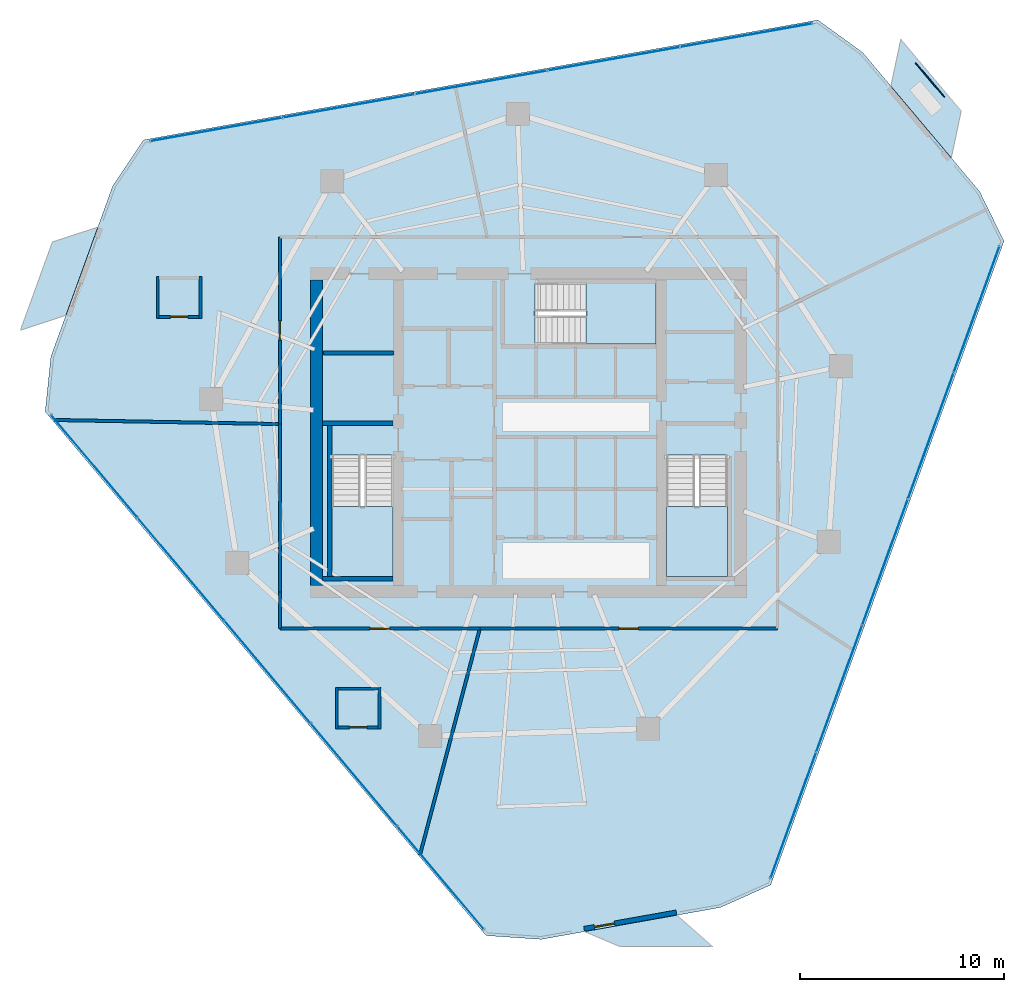
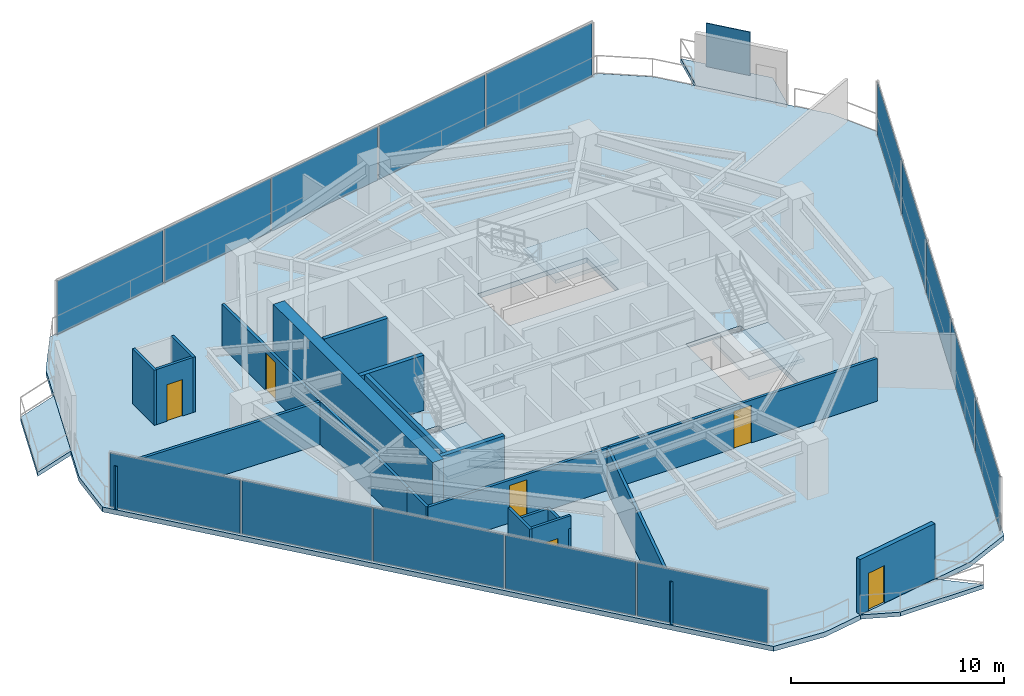
# One storey, part 23 of 27: 20 walls, 16 plates, 7 slabs, 6 doors, 6 openings, 6 elements without a shape of their own.
"""IFC4 building model written with IfcOpenShell, lengths in metres."""

from ifc_helpers import new_model, si_unit, direction, frame, frame_2d, origin, origin_2d, place, context, subcontext, project, spatial, polyline, rectangle, outline, extrude, material, layer, layer_set, type_object, element, fill, aggregate, save


model = new_model("IFC4")

# Units and contexts
model_context = context("Model", 3, precision=1e-05, world=origin(), true_north=direction((0.0, 1.0)))
body_context = subcontext(model_context, "Body", "Model", "MODEL_VIEW")
ifc_project = project(units=[si_unit("LENGTHUNIT", "METRE"), si_unit("AREAUNIT", "SQUARE_METRE"), si_unit("VOLUMEUNIT", "CUBIC_METRE"), si_unit("PLANEANGLEUNIT", "RADIAN"), si_unit("MASSUNIT", "GRAM", prefix="KILO")], contexts=[model_context])

# Site, building, storey
site_placement = place(None, origin())
site = spatial("IfcSite", under=ifc_project, at=site_placement, CompositionType="ELEMENT")
building_placement = place(site_placement, origin())
building = spatial("IfcBuilding", under=site, at=building_placement, Name="Qarnah Convention Tower", CompositionType="ELEMENT")
storey_placement = place(building_placement, frame((0.0, 0.0, 103.949951171875)))
storey = spatial("IfcBuildingStorey", under=building, at=storey_placement, Name="L27", CompositionType="ELEMENT", Elevation=103.949951171875)

# Curtain wall, plates
ifc_material_1 = material(Name="Tempered Low-E dark glass", Category="glass")
ifc_layer_1 = layer(ifc_material_1, 0.169921875)
ifc_layer_set_1 = layer_set([ifc_layer_1], Name="Tempered Low-E dark glass")
curtain_wall_type = type_object("IfcCurtainWallType", Name="CWS-02", PredefinedType="NOTDEFINED", material=ifc_layer_set_1)
curtain_wall_1_placement = place(storey_placement, origin())
curtain_wall_1 = element("IfcCurtainWall", 1, at=curtain_wall_1_placement, inside=storey, type_object=curtain_wall_type, Name="L27 unitised curtain wall CW-L27-F1", PredefinedType="NOTDEFINED")
ifc_layer_2 = layer(ifc_material_1, 0.030029296875)
ifc_layer_set_2 = layer_set([ifc_layer_2], Name="Tempered Low-E dark glass")
plate_type_1 = type_object("IfcPlateType", Name="PNL-T2", PredefinedType="CURTAIN_PANEL", material=ifc_layer_set_2)
plate_1_placement = place(storey_placement, frame((32.887451171875, 4.572509765625, 0.0400390625), z_axis=(0.0, 0.0, 1.0), x_axis=(-0.643878016017, 0.76512815952, 0.0)))
plate_1 = element("IfcPlate", 2, at=plate_1_placement, type_object=plate_type_1, Name="CW-L27-F1 curtain panel 1.1", PredefinedType="CURTAIN_PANEL", context=body_context, shape_type="SweptSolid", body=[
    extrude(rectangle(XDim=6.516357421875, YDim=0.030029296875, at=origin_2d()), origin(), (0.0, 0.0, 1.0), 3.090087890625),
])
plate_2_placement = place(storey_placement, frame((28.64013671875, 9.619384765625, 0.0400390625), z_axis=(0.0, 0.0, 1.0), x_axis=(-0.643878016017, 0.76512815952, 0.0)))
plate_2 = element("IfcPlate", 3, at=plate_2_placement, type_object=plate_type_1, Name="CW-L27-F1 curtain panel 2.1", PredefinedType="CURTAIN_PANEL", context=body_context, shape_type="SweptSolid", body=[
    extrude(rectangle(XDim=6.516357421875, YDim=0.030029296875, at=origin_2d()), origin(), (0.0, 0.0, 1.0), 3.090087890625),
])
plate_3_placement = place(storey_placement, frame((24.39306640625, 14.66650390625, 0.0400390625), z_axis=(0.0, 0.0, 1.0), x_axis=(-0.643878016017, 0.76512815952, 0.0)))
plate_3 = element("IfcPlate", 4, at=plate_3_placement, type_object=plate_type_1, Name="CW-L27-F1 curtain panel 3.1", PredefinedType="CURTAIN_PANEL", context=body_context, shape_type="SweptSolid", body=[
    extrude(rectangle(XDim=6.516357421875, YDim=0.030029296875, at=origin_2d()), origin(), (0.0, 0.0, 1.0), 3.090087890625),
])
plate_4_placement = place(storey_placement, frame((20.145751953125, 19.71337890625, 0.0400390625), z_axis=(0.0, 0.0, 1.0), x_axis=(-0.643878016017, 0.76512815952, 0.0)))
plate_4 = element("IfcPlate", 5, at=plate_4_placement, type_object=plate_type_1, Name="CW-L27-F1 curtain panel 4.1", PredefinedType="CURTAIN_PANEL", context=body_context, shape_type="SweptSolid", body=[
    extrude(rectangle(XDim=6.516357421875, YDim=0.030029296875, at=origin_2d()), origin(), (0.0, 0.0, 1.0), 3.090087890625),
])
plate_5_placement = place(storey_placement, frame((15.898681640625, 24.760498046875, 0.0400390625), z_axis=(0.0, 0.0, 1.0), x_axis=(-0.643878016017, 0.76512815952, 0.0)))
plate_5 = element("IfcPlate", 6, at=plate_5_placement, type_object=plate_type_1, Name="CW-L27-F1 curtain panel 5.1", PredefinedType="CURTAIN_PANEL", context=body_context, shape_type="SweptSolid", body=[
    extrude(rectangle(XDim=6.516357421875, YDim=0.030029296875, at=origin_2d()), origin(), (0.0, 0.0, 1.0), 3.090087890625),
])
aggregate(curtain_wall_1, [plate_1, plate_2, plate_3, plate_4, plate_5])

curtain_wall_2_placement = place(storey_placement, origin())
curtain_wall_2 = element("IfcCurtainWall", 7, at=curtain_wall_2_placement, inside=storey, type_object=curtain_wall_type, Name="L27 unitised curtain wall CW-L27-F2", PredefinedType="NOTDEFINED")
plate_6_placement = place(storey_placement, frame((59.17041015625, 32.453125, 0.0400390625), z_axis=(0.0, 0.0, 1.0), x_axis=(-0.340708211397, -0.940169088349, 0.0)))
plate_6 = element("IfcPlate", 8, at=plate_6_placement, type_object=plate_type_1, Name="CW-L27-F2 curtain panel 1.1", PredefinedType="CURTAIN_PANEL", context=body_context, shape_type="SweptSolid", body=[
    extrude(rectangle(XDim=6.516357421875, YDim=0.030029296875, at=origin_2d()), origin(), (0.0, 0.0, 1.0), 3.090087890625),
])
plate_7_placement = place(storey_placement, frame((56.9228515625, 26.251708984375, 0.0400390625), z_axis=(0.0, 0.0, 1.0), x_axis=(-0.340708211397, -0.940169088349, 0.0)))
plate_7 = element("IfcPlate", 9, at=plate_7_placement, type_object=plate_type_1, Name="CW-L27-F2 curtain panel 2.1", PredefinedType="CURTAIN_PANEL", context=body_context, shape_type="SweptSolid", body=[
    extrude(rectangle(XDim=6.516357421875, YDim=0.030029296875, at=origin_2d()), origin(), (0.0, 0.0, 1.0), 3.090087890625),
])
plate_8_placement = place(storey_placement, frame((54.675537109375, 20.050048828125, 0.0400390625), z_axis=(0.0, 0.0, 1.0), x_axis=(-0.340708211397, -0.940169088349, 0.0)))
plate_8 = element("IfcPlate", 10, at=plate_8_placement, type_object=plate_type_1, Name="CW-L27-F2 curtain panel 3.1", PredefinedType="CURTAIN_PANEL", context=body_context, shape_type="SweptSolid", body=[
    extrude(rectangle(XDim=6.516357421875, YDim=0.030029296875, at=origin_2d()), origin(), (0.0, 0.0, 1.0), 3.090087890625),
])
plate_9_placement = place(storey_placement, frame((52.427978515625, 13.848388671875, 0.0400390625), z_axis=(0.0, 0.0, 1.0), x_axis=(-0.340708211397, -0.940169088349, 0.0)))
plate_9 = element("IfcPlate", 11, at=plate_9_placement, type_object=plate_type_1, Name="CW-L27-F2 curtain panel 4.1", PredefinedType="CURTAIN_PANEL", context=body_context, shape_type="SweptSolid", body=[
    extrude(rectangle(XDim=6.516357421875, YDim=0.030029296875, at=origin_2d()), origin(), (0.0, 0.0, 1.0), 3.090087890625),
])
plate_10_placement = place(storey_placement, frame((50.1806640625, 7.646728515625, 0.0400390625), z_axis=(0.0, 0.0, 1.0), x_axis=(-0.340708211397, -0.940169088349, 0.0)))
plate_10 = element("IfcPlate", 12, at=plate_10_placement, type_object=plate_type_1, Name="CW-L27-F2 curtain panel 5.1", PredefinedType="CURTAIN_PANEL", context=body_context, shape_type="SweptSolid", body=[
    extrude(rectangle(XDim=6.516357421875, YDim=0.030029296875, at=origin_2d()), origin(), (0.0, 0.0, 1.0), 3.090087890625),
])
aggregate(curtain_wall_2, [plate_6, plate_7, plate_8, plate_9, plate_10])

curtain_wall_3_placement = place(storey_placement, origin())
curtain_wall_3 = element("IfcCurtainWall", 13, at=curtain_wall_3_placement, inside=storey, type_object=curtain_wall_type, Name="L27 unitised curtain wall CW-L27-F3", PredefinedType="NOTDEFINED")
plate_11_placement = place(storey_placement, frame((21.88330078125, 41.2744140625, 0.0400390625), z_axis=(0.0, 0.0, 1.0), x_axis=(0.984561462952, 0.175039211808, 0.0)))
plate_11 = element("IfcPlate", 14, at=plate_11_placement, type_object=plate_type_1, Name="CW-L27-F3 curtain panel 1.1", PredefinedType="CURTAIN_PANEL", context=body_context, shape_type="SweptSolid", body=[
    extrude(rectangle(XDim=6.516357421875, YDim=0.030029296875, at=origin_2d()), origin(), (0.0, 0.0, 1.0), 3.090087890625),
])
plate_12_placement = place(storey_placement, frame((28.377685546875, 42.428955078125, 0.0400390625), z_axis=(0.0, 0.0, 1.0), x_axis=(0.984561462952, 0.175039211808, 0.0)))
plate_12 = element("IfcPlate", 15, at=plate_12_placement, type_object=plate_type_1, Name="CW-L27-F3 curtain panel 2.1", PredefinedType="CURTAIN_PANEL", context=body_context, shape_type="SweptSolid", body=[
    extrude(rectangle(XDim=6.516357421875, YDim=0.030029296875, at=origin_2d()), origin(), (0.0, 0.0, 1.0), 3.090087890625),
])
plate_13_placement = place(storey_placement, frame((34.8720703125, 43.58349609375, 0.0400390625), z_axis=(0.0, 0.0, 1.0), x_axis=(0.984561462952, 0.175039211808, 0.0)))
plate_13 = element("IfcPlate", 16, at=plate_13_placement, type_object=plate_type_1, Name="CW-L27-F3 curtain panel 3.1", PredefinedType="CURTAIN_PANEL", context=body_context, shape_type="SweptSolid", body=[
    extrude(rectangle(XDim=6.516357421875, YDim=0.030029296875, at=origin_2d()), origin(), (0.0, 0.0, 1.0), 3.090087890625),
])
plate_14_placement = place(storey_placement, frame((41.366455078125, 44.738037109375, 0.0400390625), z_axis=(0.0, 0.0, 1.0), x_axis=(0.984561462952, 0.175039211808, 0.0)))
plate_14 = element("IfcPlate", 17, at=plate_14_placement, type_object=plate_type_1, Name="CW-L27-F3 curtain panel 4.1", PredefinedType="CURTAIN_PANEL", context=body_context, shape_type="SweptSolid", body=[
    extrude(rectangle(XDim=6.516357421875, YDim=0.030029296875, at=origin_2d()), origin(), (0.0, 0.0, 1.0), 3.090087890625),
])
plate_15_placement = place(storey_placement, frame((47.86083984375, 45.892578125, 0.0400390625), z_axis=(0.0, 0.0, 1.0), x_axis=(0.984561462952, 0.175039211808, 0.0)))
plate_15 = element("IfcPlate", 18, at=plate_15_placement, type_object=plate_type_1, Name="CW-L27-F3 curtain panel 5.1", PredefinedType="CURTAIN_PANEL", context=body_context, shape_type="SweptSolid", body=[
    extrude(rectangle(XDim=6.516357421875, YDim=0.030029296875, at=origin_2d()), origin(), (0.0, 0.0, 1.0), 3.090087890625),
])
aggregate(curtain_wall_3, [plate_11, plate_12, plate_13, plate_14, plate_15])

# Plate
ifc_material_2 = material(Name="Black anodised aluminium", Category="aluminium")
ifc_layer_3 = layer(ifc_material_2, 0.044921875)
ifc_layer_set_3 = layer_set([ifc_layer_3], Name="Black anodised aluminium")
plate_type_2 = type_object("IfcPlateType", Name="SCR-BAL-18", PredefinedType="USERDEFINED", material=ifc_layer_set_3)
plate_16_placement = place(storey_placement, frame((56.8779296875, 43.698974609375, 0.0), z_axis=(0.0, 0.0, 1.0), x_axis=(0.643962075596, -0.765057413005, 0.0)))
element("IfcPlate", 19, at=plate_16_placement, inside=storey, type_object=plate_type_2, Name="L27 perforated desert solar screen BAL-L27-C1", ObjectType="SCREEN", PredefinedType="USERDEFINED", context=body_context, shape_type="SweptSolid", body=[
    extrude(rectangle(XDim=2.199951171875, YDim=0.044921875, at=origin_2d()), origin(), (0.0, 0.0, 1.0), 2.5),
])

# Slabs
ifc_material_3 = material(Name="Concrete C45/55", Category="concrete")
ifc_layer_4 = layer(ifc_material_3, 0.239990234375)
ifc_layer_set_4 = layer_set([ifc_layer_4], Name="Concrete C45/55")
slab_type_1 = type_object("IfcSlabType", Name="SLB-BAL-240", PredefinedType="USERDEFINED", material=ifc_layer_set_4)
slab_1_placement = place(storey_placement, frame((0.0, 0.0, -0.239990234375)))
element("IfcSlab", 20, at=slab_1_placement, inside=storey, type_object=slab_type_1, Name="L27 cantilevered balcony slab BAL-L27-C1", ObjectType="BALCONY", PredefinedType="USERDEFINED", context=body_context, shape_type="SweptSolid", body=[
    extrude(outline(polyline([(55.447021484375, 45.693115234375), (58.408935546875, 42.174072265625), (57.924072265625, 39.876953125), (54.9619140625, 43.39697265625), (55.447021484375, 45.693115234375)])), origin(), (0.0, 0.0, 1.0), 0.239990234375),
])
slab_2_placement = place(storey_placement, frame((0.0, 0.0, -0.239990234375)))
element("IfcSlab", 21, at=slab_2_placement, inside=storey, type_object=slab_type_1, Name="L27 cantilevered balcony slab BAL-L27-C2", ObjectType="BALCONY", PredefinedType="USERDEFINED", context=body_context, shape_type="SweptSolid", body=[
    extrude(outline(polyline([(12.278076171875, 31.429931640625), (13.844970703125, 35.7548828125), (16.075927734375, 36.48388671875), (14.508056640625, 32.157958984375), (12.278076171875, 31.429931640625)])), origin(), (0.0, 0.0, 1.0), 0.239990234375),
])
slab_3_placement = place(storey_placement, frame((0.0, 0.0, -0.239990234375)))
element("IfcSlab", 22, at=slab_3_placement, inside=storey, type_object=slab_type_1, Name="L27 cantilevered balcony slab BAL-L27-C3", ObjectType="BALCONY", PredefinedType="USERDEFINED", context=body_context, shape_type="SweptSolid", body=[
    extrude(outline(polyline([(46.215087890625, 1.199951171875), (41.68603515625, 1.199951171875), (39.94091796875, 1.93896484375), (44.468994140625, 2.743896484375), (46.215087890625, 1.199951171875)])), origin(), (0.0, 0.0, 1.0), 0.239990234375),
])

# Stair, slab
ifc_material_4 = material(Name="Concrete C50/60", Category="concrete")
stair_type = type_object("IfcStairType", Name="STR-HTL", PredefinedType="HALF_TURN_STAIR", material=ifc_material_4)
stair_1_placement = place(storey_placement, origin())
stair_1 = element("IfcStair", 23, at=stair_1_placement, inside=storey, type_object=stair_type, Name="L27 Core exit stair ST-1", PredefinedType="HALF_TURN_STAIR")
ifc_layer_5 = layer(ifc_material_4, 0.199951171875)
ifc_layer_set_5 = layer_set([ifc_layer_5], Name="Concrete C50/60")
slab_type_2 = type_object("IfcSlabType", Name="SLB-LANDING-200", PredefinedType="LANDING", material=ifc_layer_set_5)
slab_4_placement = place(storey_placement, frame((0.0, 0.0, 1.525146484375)))
slab_4 = element("IfcSlab", 24, at=slab_4_placement, type_object=slab_type_2, Name="ST-1 landing 1", PredefinedType="LANDING", context=body_context, shape_type="SweptSolid", body=[
    extrude(outline(polyline([(27.550048828125, 22.780029296875), (27.550048828125, 19.35009765625), (30.550048828125, 19.35009765625), (30.550048828125, 22.780029296875), (27.550048828125, 22.780029296875)])), origin(), (0.0, 0.0, 1.0), 0.199951171875),
])
aggregate(stair_1, [slab_4])

stair_2_placement = place(storey_placement, origin())
stair_2 = element("IfcStair", 25, at=stair_2_placement, inside=storey, type_object=stair_type, Name="L27 Core exit stair ST-2", PredefinedType="HALF_TURN_STAIR")
slab_5_placement = place(storey_placement, frame((0.0, 0.0, 1.525146484375)))
slab_5 = element("IfcSlab", 26, at=slab_5_placement, type_object=slab_type_2, Name="ST-2 landing 1", PredefinedType="LANDING", context=body_context, shape_type="SweptSolid", body=[
    extrude(outline(polyline([(43.949951171875, 22.780029296875), (43.949951171875, 19.35009765625), (46.949951171875, 19.35009765625), (46.949951171875, 22.780029296875), (43.949951171875, 22.780029296875)])), origin(), (0.0, 0.0, 1.0), 0.199951171875),
])
aggregate(stair_2, [slab_5])

stair_3_placement = place(storey_placement, origin())
stair_3 = element("IfcStair", 27, at=stair_3_placement, inside=storey, type_object=stair_type, Name="L27 Core exit stair ST-3", PredefinedType="HALF_TURN_STAIR")
slab_6_placement = place(storey_placement, frame((0.0, 0.0, 1.525146484375)))
slab_6 = element("IfcSlab", 28, at=slab_6_placement, type_object=slab_type_2, Name="ST-3 landing 1", PredefinedType="LANDING", context=body_context, shape_type="SweptSolid", body=[
    extrude(outline(polyline([(40.02001953125, 30.75), (43.449951171875, 30.75), (43.449951171875, 33.75), (40.02001953125, 33.75), (40.02001953125, 30.75)])), origin(), (0.0, 0.0, 1.0), 0.199951171875),
])
aggregate(stair_3, [slab_6])

# Slab
ifc_layer_6 = layer(ifc_material_3, 0.280029296875)
ifc_layer_set_6 = layer_set([ifc_layer_6], Name="Concrete C45/55")
slab_type_3 = type_object("IfcSlabType", Name="SLB-TWR-280", PredefinedType="FLOOR", material=ifc_layer_set_6)
slab_7_placement = place(storey_placement, frame((0.0, 0.0, -0.280029296875)))
element("IfcSlab", 29, at=slab_7_placement, inside=storey, type_object=slab_type_3, Name="L27 structural floor slab", PredefinedType="FLOOR", context=body_context, shape_type="SweptSolid", body=[
    extrude(outline(polyline([(51.382080078125, 46.64111328125), (18.320068359375, 40.762939453125), (16.80810546875, 38.51611328125), (13.76904296875, 30.1298828125), (13.489990234375, 27.43603515625), (35.112060546875, 1.741943359375), (37.81298828125, 1.556884765625), (46.594970703125, 3.117919921875), (49.068115234375, 4.222900390625), (60.509033203125, 35.794921875), (59.318115234375, 38.22705078125), (53.574951171875, 45.052001953125), (51.382080078125, 46.64111328125)]), holes=[polyline([(27.550048828125, 25.300048828125), (27.550048828125, 19.35009765625), (30.550048828125, 19.35009765625), (30.550048828125, 25.300048828125), (27.550048828125, 25.300048828125)]), polyline([(43.949951171875, 25.300048828125), (43.949951171875, 19.35009765625), (46.949951171875, 19.35009765625), (46.949951171875, 25.300048828125), (43.949951171875, 25.300048828125)]), polyline([(37.5, 30.75), (43.449951171875, 30.75), (43.449951171875, 33.75), (37.5, 33.75), (37.5, 30.75)])]), origin(), (0.0, 0.0, 1.0), 0.280029296875),
])

# Walls
ifc_material_5 = material(Name="Concrete C60/75", Category="concrete")
ifc_layer_7 = layer(ifc_material_5, 0.60009765625)
ifc_layer_set_7 = layer_set([ifc_layer_7], Name="Concrete C60/75")
wall_type_1 = type_object("IfcWallType", Name="WL-CORE-600", PredefinedType="SHEAR", material=ifc_layer_set_7)
wall_1_placement = place(storey_placement, frame((26.800048828125, 18.89990234375, 0.0), z_axis=(0.0, 0.0, 1.0), x_axis=(0.0, 1.0, 0.0)))
element("IfcWall", 30, at=wall_1_placement, inside=storey, type_object=wall_type_1, Name="L27 core west shear wall", PredefinedType="SHEAR", context=body_context, shape_type="SweptSolid", body=[
    extrude(rectangle(XDim=15.0, YDim=0.60009765625, at=frame_2d((7.5, 0.0))), origin(), (0.0, 0.0, 1.0), 3.170166015625),
])
ifc_layer_8 = layer(ifc_material_3, 0.199951171875)
ifc_layer_set_8 = layer_set([ifc_layer_8], Name="Concrete C45/55")
wall_type_2 = type_object("IfcWallType", Name="WL-CORE-PART-200", PredefinedType="SOLIDWALL", material=ifc_layer_set_8)
wall_2_placement = place(storey_placement, frame((27.14990234375, 30.320068359375, 0.0), z_axis=(0.0, 0.0, 1.0), x_axis=(1.0, 0.0, 0.0)))
element("IfcWall", 31, at=wall_2_placement, inside=storey, type_object=wall_type_2, Name="L27 interior wall IW-L27-ELRN", PredefinedType="SOLIDWALL", context=body_context, shape_type="SweptSolid", body=[
    extrude(rectangle(XDim=3.4501953125, YDim=0.199951171875, at=frame_2d((1.72509765625, 0.0))), origin(), (0.0, 0.0, 1.0), 3.170166015625),
])
ifc_layer_9 = layer(ifc_material_5, 0.219970703125)
ifc_layer_set_9 = layer_set([ifc_layer_9], Name="Concrete C60/75")
wall_type_3 = type_object("IfcWallType", Name="WL-CORE-STAIR-220", PredefinedType="SHEAR", material=ifc_layer_set_9)
wall_3_placement = place(storey_placement, frame((27.10009765625, 26.860107421875, 0.0), z_axis=(0.0, 0.0, 1.0), x_axis=(1.0, 0.0, 0.0)))
element("IfcWall", 32, at=wall_3_placement, inside=storey, type_object=wall_type_3, Name="L27 stair shaft shear wall SW-L27-ST1N", PredefinedType="SHEAR", context=body_context, shape_type="SweptSolid", body=[
    extrude(rectangle(XDim=3.449951171875, YDim=0.219970703125, at=frame_2d((1.72509765625, 0.0))), origin(), (0.0, 0.0, 1.0), 3.170166015625),
])
wall_4_placement = place(storey_placement, frame((27.43994140625, 19.35009765625, 0.0), z_axis=(0.0, 0.0, 1.0), x_axis=(0.0, 1.0, 0.0)))
element("IfcWall", 33, at=wall_4_placement, inside=storey, type_object=wall_type_3, Name="L27 stair shaft shear wall SW-L27-ST1W", PredefinedType="SHEAR", context=body_context, shape_type="SweptSolid", body=[
    extrude(rectangle(XDim=7.39990234375, YDim=0.219970703125, at=frame_2d((3.699951171875, 0.0))), origin(), (0.0, 0.0, 1.0), 3.170166015625),
])
wall_5_placement = place(storey_placement, frame((27.10009765625, 19.239990234375, 0.0), z_axis=(0.0, 0.0, 1.0), x_axis=(1.0, 0.0, 0.0)))
element("IfcWall", 34, at=wall_5_placement, inside=storey, type_object=wall_type_3, Name="L27 stair shaft shear wall SW-L27-ST1S", PredefinedType="SHEAR", context=body_context, shape_type="SweptSolid", body=[
    extrude(rectangle(XDim=3.449951171875, YDim=0.219970703125, at=frame_2d((1.72509765625, 0.0))), origin(), (0.0, 0.0, 1.0), 3.170166015625),
])

# Wall, opening, door
ifc_material_6 = material(Name="Precast concrete C45/55", Category="concrete")
ifc_layer_10 = layer(ifc_material_6, 0.239990234375)
ifc_layer_set_10 = layer_set([ifc_layer_10], Name="Precast concrete C45/55")
wall_type_4 = type_object("IfcWallType", Name="WL-EXT-BAL-240", PredefinedType="SOLIDWALL", material=ifc_layer_set_10)
wall_6_placement = place(storey_placement, frame((44.444091796875, 2.8779296875, 0.0), z_axis=(0.0, 0.0, 1.0), x_axis=(-0.984571246325, -0.174984173313, 0.0)))
wall_6 = element("IfcWall", 35, at=wall_6_placement, inside=storey, type_object=wall_type_4, Name="L27 loggia threshold wall BAL-L27-C3", PredefinedType="SOLIDWALL", context=body_context, shape_type="SweptSolid", body=[
    extrude(rectangle(XDim=4.60009765625, YDim=0.239990234375, at=frame_2d((2.300048828125, 0.0))), origin(), (0.0, 0.0, 1.0), 3.170166015625),
])
opening_1_placement = place(wall_6_placement, frame((3.080078125, 0.0, 0.0)))
opening_1 = element("IfcOpeningElement", 36, at=opening_1_placement, cuts=wall_6, Name="Opening BD-2703", PredefinedType="OPENING", context=body_context, shape_type="SweptSolid", body=[
    extrude(rectangle(XDim=1.0, YDim=2.14990234375, at=frame_2d((0.5, 1.074951171875))), frame((0.0, 0.1298828125, 0.0), z_axis=(0.0, -1.0, 0.0), x_axis=(1.0, 0.0, 0.0)), (0.0, 0.0, 1.0), 0.260009765625),
])
door_type_1 = type_object("IfcDoorType", Name="DT-BAL-1000", OperationType="NOTDEFINED", PredefinedType="DOOR", material=ifc_material_2)
door_1_placement = place(opening_1_placement, origin())
door_1 = element("IfcDoor", 37, at=door_1_placement, inside=storey, type_object=door_type_1, Name="L27 balcony terrace door BAL-L27-C3", OperationType="SINGLE_SWING_RIGHT", OverallHeight=2.14990234375, OverallWidth=1.0, PredefinedType="DOOR", context=body_context, shape_type="SweptSolid", body=[
    extrude(rectangle(XDim=1.0, YDim=2.14990234375, at=frame_2d((0.5, 1.074951171875))), frame((0.0, 0.02490234375, 0.0), z_axis=(0.0, -1.0, 0.0), x_axis=(1.0, 0.0, 0.0)), (0.0, 0.0, 1.0), 0.050048828125),
])
fill(opening_1, door_1)

# Wall
ifc_material_7 = material(Name="Gypsum partition board")
ifc_layer_11 = layer(ifc_material_7, 0.14990234375)
ifc_layer_set_11 = layer_set([ifc_layer_11], Name="Gypsum partition board")
wall_type_5 = type_object("IfcWallType", Name="WL-SUITE-150", PredefinedType="PARTITIONING", material=ifc_layer_set_11)
wall_7_placement = place(storey_placement, frame((13.9130859375, 27.027099609375, 0.0), z_axis=(0.0, 0.0, 1.0), x_axis=(0.999835420422, -0.018141997411, 0.0)))
element("IfcWall", 38, at=wall_7_placement, inside=storey, type_object=wall_type_5, Name="L27 interior wall IW-L27-R-14", PredefinedType="PARTITIONING", context=body_context, shape_type="SweptSolid", body=[
    extrude(rectangle(XDim=11.088623046875, YDim=0.14990234375, at=frame_2d((5.54443359375, 0.0))), origin(), (0.0, 0.0, 1.0), 2.455078125),
])

# Wall, opening, door
wall_8_placement = place(storey_placement, frame((25.0, 26.825927734375, 0.0), z_axis=(0.0, 0.0, 1.0), x_axis=(0.0, 1.0, 0.0)))
wall_8 = element("IfcWall", 39, at=wall_8_placement, inside=storey, type_object=wall_type_5, Name="L27 interior wall IW-L27-R-15", PredefinedType="PARTITIONING", context=body_context, shape_type="SweptSolid", body=[
    extrude(rectangle(XDim=9.174072265625, YDim=0.14990234375, at=frame_2d((4.5869140625, 0.0))), origin(), (0.0, 0.0, 1.0), 2.455078125),
])
opening_2_placement = place(wall_8_placement, frame((4.112060546875, 0.0, 0.0)))
opening_2 = element("IfcOpeningElement", 40, at=opening_2_placement, cuts=wall_8, Name="Opening D-2717", PredefinedType="OPENING", context=body_context, shape_type="SweptSolid", body=[
    extrude(rectangle(XDim=0.949951171875, YDim=2.14990234375, at=frame_2d((0.47509765625, 1.074951171875))), frame((0.0, 0.0849609375, 0.0), z_axis=(0.0, -1.0, 0.0), x_axis=(1.0, 0.0, 0.0)), (0.0, 0.0, 1.0), 0.169921875),
])
ifc_material_8 = material(Name="Oak timber veneer", Category="wood")
door_type_2 = type_object("IfcDoorType", Name="DT-HOTEL-950", OperationType="NOTDEFINED", PredefinedType="DOOR", material=ifc_material_8)
door_2_placement = place(opening_2_placement, origin())
door_2 = element("IfcDoor", 41, at=door_2_placement, inside=storey, type_object=door_type_2, Name="Door D-2717", OperationType="SINGLE_SWING_RIGHT", OverallHeight=2.14990234375, OverallWidth=0.949951171875, PredefinedType="DOOR", context=body_context, shape_type="SweptSolid", body=[
    extrude(rectangle(XDim=0.949951171875, YDim=2.14990234375, at=frame_2d((0.47509765625, 1.074951171875))), frame((0.0, 0.02490234375, 0.0), z_axis=(0.0, -1.0, 0.0), x_axis=(1.0, 0.0, 0.0)), (0.0, 0.0, 1.0), 0.050048828125),
])
fill(opening_2, door_2)

# Wall
wall_9_placement = place(storey_placement, frame((31.8701171875, 5.696044921875, 0.0), z_axis=(0.0, 0.0, 1.0), x_axis=(0.255607435912, 0.966780656978, 0.0)))
element("IfcWall", 42, at=wall_9_placement, inside=storey, type_object=wall_type_5, Name="L27 interior wall IW-L27-R-18", PredefinedType="PARTITIONING", context=body_context, shape_type="SweptSolid", body=[
    extrude(rectangle(XDim=11.485595703125, YDim=0.14990234375, at=frame_2d((5.74267578125, 0.0))), origin(), (0.0, 0.0, 1.0), 2.455078125),
])

# Wall, opening, door
wall_10_placement = place(storey_placement, frame((34.805908203125, 16.800048828125, 0.0), z_axis=(0.0, 0.0, 1.0), x_axis=(-1.0, 0.0, 0.0)))
wall_10 = element("IfcWall", 43, at=wall_10_placement, inside=storey, type_object=wall_type_5, Name="L27 interior wall IW-L27-R-19", PredefinedType="PARTITIONING", context=body_context, shape_type="SweptSolid", body=[
    extrude(rectangle(XDim=9.805908203125, YDim=0.14990234375, at=frame_2d((4.90283203125, 0.0))), origin(), (0.0, 0.0, 1.0), 2.455078125),
])
opening_3_placement = place(wall_10_placement, frame((4.427978515625, 0.0, 0.0)))
opening_3 = element("IfcOpeningElement", 44, at=opening_3_placement, cuts=wall_10, Name="Opening D-2719", PredefinedType="OPENING", context=body_context, shape_type="SweptSolid", body=[
    extrude(rectangle(XDim=0.949951171875, YDim=2.14990234375, at=frame_2d((0.47509765625, 1.074951171875))), frame((0.0, 0.0849609375, 0.0), z_axis=(0.0, -1.0, 0.0), x_axis=(1.0, 0.0, 0.0)), (0.0, 0.0, 1.0), 0.169921875),
])
door_3_placement = place(opening_3_placement, origin())
door_3 = element("IfcDoor", 45, at=door_3_placement, inside=storey, type_object=door_type_2, Name="Door D-2719", OperationType="SINGLE_SWING_RIGHT", OverallHeight=2.14990234375, OverallWidth=0.949951171875, PredefinedType="DOOR", context=body_context, shape_type="SweptSolid", body=[
    extrude(rectangle(XDim=0.949951171875, YDim=2.14990234375, at=frame_2d((0.47509765625, 1.074951171875))), frame((0.0, 0.02490234375, 0.0), z_axis=(0.0, -1.0, 0.0), x_axis=(1.0, 0.0, 0.0)), (0.0, 0.0, 1.0), 0.050048828125),
])
fill(opening_3, door_3)

# Walls
wall_11_placement = place(storey_placement, frame((25.0, 16.800048828125, 0.0), z_axis=(0.0, 0.0, 1.0), x_axis=(0.0, 1.0, 0.0)))
element("IfcWall", 46, at=wall_11_placement, inside=storey, type_object=wall_type_5, Name="L27 interior wall IW-L27-R-20", PredefinedType="PARTITIONING", context=body_context, shape_type="SweptSolid", body=[
    extrude(rectangle(XDim=1.800048828125, YDim=0.14990234375, at=frame_2d((0.89990234375, 0.0))), origin(), (0.0, 0.0, 1.0), 2.455078125),
])
wall_12_placement = place(storey_placement, frame((25.0, 18.60009765625, 0.0), z_axis=(0.0, 0.0, 1.0), x_axis=(0.0, 1.0, 0.0)))
element("IfcWall", 47, at=wall_12_placement, inside=storey, type_object=wall_type_5, Name="L27 interior wall IW-L27-R-21", PredefinedType="PARTITIONING", context=body_context, shape_type="SweptSolid", body=[
    extrude(rectangle(XDim=8.225830078125, YDim=0.14990234375, at=frame_2d((4.11279296875, 0.0))), origin(), (0.0, 0.0, 1.0), 2.467041015625),
])

# Wall, opening, door
wall_13_placement = place(storey_placement, frame((49.39990234375, 16.800048828125, 0.0), z_axis=(0.0, 0.0, 1.0), x_axis=(-1.0, 0.0, 0.0)))
wall_13 = element("IfcWall", 48, at=wall_13_placement, inside=storey, type_object=wall_type_5, Name="L27 interior wall IW-L27-R-24", PredefinedType="PARTITIONING", context=body_context, shape_type="SweptSolid", body=[
    extrude(rectangle(XDim=14.593994140625, YDim=0.14990234375, at=frame_2d((7.296875, 0.0))), origin(), (0.0, 0.0, 1.0), 2.455078125),
])
opening_4_placement = place(wall_13_placement, frame((6.822021484375, 0.0, 0.0)))
opening_4 = element("IfcOpeningElement", 49, at=opening_4_placement, cuts=wall_13, Name="Opening D-2721", PredefinedType="OPENING", context=body_context, shape_type="SweptSolid", body=[
    extrude(rectangle(XDim=0.949951171875, YDim=2.14990234375, at=frame_2d((0.47509765625, 1.074951171875))), frame((0.0, 0.0849609375, 0.0), z_axis=(0.0, -1.0, 0.0), x_axis=(1.0, 0.0, 0.0)), (0.0, 0.0, 1.0), 0.169921875),
])
door_4_placement = place(opening_4_placement, origin())
door_4 = element("IfcDoor", 50, at=door_4_placement, inside=storey, type_object=door_type_2, Name="Door D-2721", OperationType="SINGLE_SWING_RIGHT", OverallHeight=2.14990234375, OverallWidth=0.949951171875, PredefinedType="DOOR", context=body_context, shape_type="SweptSolid", body=[
    extrude(rectangle(XDim=0.949951171875, YDim=2.14990234375, at=frame_2d((0.47509765625, 1.074951171875))), frame((0.0, 0.02490234375, 0.0), z_axis=(0.0, -1.0, 0.0), x_axis=(1.0, 0.0, 0.0)), (0.0, 0.0, 1.0), 0.050048828125),
])
fill(opening_4, door_4)

ifc_layer_12 = layer(ifc_material_7, 0.139892578125)
ifc_layer_set_12 = layer_set([ifc_layer_12], Name="Gypsum partition board")
wall_type_6 = type_object("IfcWallType", Name="WL-WET-140", PredefinedType="PARTITIONING", material=ifc_layer_set_12)
wall_14_placement = place(storey_placement, frame((18.93994140625, 32.0830078125, 0.0), z_axis=(0.0, 0.0, 1.0), x_axis=(1.0, 0.0, 0.0)))
wall_14 = element("IfcWall", 51, at=wall_14_placement, inside=storey, type_object=wall_type_6, Name="L27 interior wall IW-L27-ENS01-1", PredefinedType="PARTITIONING", context=body_context, shape_type="SweptSolid", body=[
    extrude(rectangle(XDim=2.239990234375, YDim=0.139892578125, at=frame_2d((1.1201171875, 0.0))), origin(), (0.0, 0.0, 1.0), 3.170166015625),
])
opening_5_placement = place(wall_14_placement, frame((0.695068359375, 0.0, 0.0)))
opening_5 = element("IfcOpeningElement", 52, at=opening_5_placement, cuts=wall_14, Name="Opening D-2718", PredefinedType="OPENING", context=body_context, shape_type="SweptSolid", body=[
    extrude(rectangle(XDim=0.85009765625, YDim=2.10009765625, at=frame_2d((0.425048828125, 1.050048828125))), frame((0.0, 0.079833984375, 0.0), z_axis=(0.0, -1.0, 0.0), x_axis=(1.0, 0.0, 0.0)), (0.0, 0.0, 1.0), 0.159912109375),
])
door_type_3 = type_object("IfcDoorType", Name="DT-BATH-850", OperationType="NOTDEFINED", PredefinedType="DOOR", material=ifc_material_8)
door_5_placement = place(opening_5_placement, origin())
door_5 = element("IfcDoor", 53, at=door_5_placement, inside=storey, type_object=door_type_3, Name="Door D-2718", OperationType="SINGLE_SWING_LEFT", OverallHeight=2.10009765625, OverallWidth=0.85009765625, PredefinedType="DOOR", context=body_context, shape_type="SweptSolid", body=[
    extrude(rectangle(XDim=0.85009765625, YDim=2.10009765625, at=frame_2d((0.425048828125, 1.050048828125))), frame((0.0, 0.02490234375, 0.0), z_axis=(0.0, -1.0, 0.0), x_axis=(1.0, 0.0, 0.0)), (0.0, 0.0, 1.0), 0.050048828125),
])
fill(opening_5, door_5)

# Walls
for number, where, z_axis, x_axis, name in (
    (54, (21.110107421875, 32.012939453125, 0.0), (0.0, 0.0, 1.0), (0.0, 1.0, 0.0), "L27 interior wall IW-L27-ENS01-2"),
    (55, (19.010009765625, 34.052978515625, 0.0), (0.0, 0.0, 1.0), (0.0, -1.0, 0.0), "L27 interior wall IW-L27-ENS01-4"),
):
    element("IfcWall", number, at=place(storey_placement, frame(where, z_axis=z_axis, x_axis=x_axis)), inside=storey, type_object=wall_type_6, Name=name, PredefinedType="PARTITIONING", context=body_context, shape_type="SweptSolid", body=[
        extrude(rectangle(XDim=2.0400390625, YDim=0.139892578125, at=frame_2d((1.02001953125, 0.0))), origin(), (0.0, 0.0, 1.0), 3.170166015625),
    ])

# Wall, opening, door
wall_15_placement = place(storey_placement, frame((27.715087890625, 11.949951171875, 0.0), z_axis=(0.0, 0.0, 1.0), x_axis=(1.0, 0.0, 0.0)))
wall_15 = element("IfcWall", 56, at=wall_15_placement, inside=storey, type_object=wall_type_6, Name="L27 interior wall IW-L27-ENS02-1", PredefinedType="PARTITIONING", context=body_context, shape_type="SweptSolid", body=[
    extrude(rectangle(XDim=2.239990234375, YDim=0.139892578125, at=frame_2d((1.1201171875, 0.0))), origin(), (0.0, 0.0, 1.0), 3.170166015625),
])
opening_6_placement = place(wall_15_placement, frame((0.695068359375, 0.0, 0.0)))
opening_6 = element("IfcOpeningElement", 57, at=opening_6_placement, cuts=wall_15, Name="Opening D-2720", PredefinedType="OPENING", context=body_context, shape_type="SweptSolid", body=[
    extrude(rectangle(XDim=0.85009765625, YDim=2.10009765625, at=frame_2d((0.425048828125, 1.050048828125))), frame((0.0, 0.079833984375, 0.0), z_axis=(0.0, -1.0, 0.0), x_axis=(1.0, 0.0, 0.0)), (0.0, 0.0, 1.0), 0.159912109375),
])
door_6_placement = place(opening_6_placement, origin())
door_6 = element("IfcDoor", 58, at=door_6_placement, inside=storey, type_object=door_type_3, Name="Door D-2720", OperationType="SINGLE_SWING_LEFT", OverallHeight=2.10009765625, OverallWidth=0.85009765625, PredefinedType="DOOR", context=body_context, shape_type="SweptSolid", body=[
    extrude(rectangle(XDim=0.85009765625, YDim=2.10009765625, at=frame_2d((0.425048828125, 1.050048828125))), frame((0.0, 0.02490234375, 0.0), z_axis=(0.0, -1.0, 0.0), x_axis=(1.0, 0.0, 0.0)), (0.0, 0.0, 1.0), 0.050048828125),
])
fill(opening_6, door_6)

# Walls
wall_16_placement = place(storey_placement, frame((29.885009765625, 11.8798828125, 0.0), z_axis=(0.0, 0.0, 1.0), x_axis=(0.0, 1.0, 0.0)))
element("IfcWall", 59, at=wall_16_placement, inside=storey, type_object=wall_type_6, Name="L27 interior wall IW-L27-ENS02-2", PredefinedType="PARTITIONING", context=body_context, shape_type="SweptSolid", body=[
    extrude(rectangle(XDim=2.0400390625, YDim=0.139892578125, at=frame_2d((1.02001953125, 0.0))), origin(), (0.0, 0.0, 1.0), 2.455078125),
])
wall_17_placement = place(storey_placement, frame((29.955078125, 13.85009765625, 0.0), z_axis=(0.0, 0.0, 1.0), x_axis=(-1.0, 0.0, 0.0)))
element("IfcWall", 60, at=wall_17_placement, inside=storey, type_object=wall_type_6, Name="L27 interior wall IW-L27-ENS02-3", PredefinedType="PARTITIONING", context=body_context, shape_type="SweptSolid", body=[
    extrude(rectangle(XDim=2.239990234375, YDim=0.139892578125, at=frame_2d((1.1201171875, 0.0))), origin(), (0.0, 0.0, 1.0), 2.455078125),
])
wall_18_placement = place(storey_placement, frame((27.784912109375, 13.919921875, 0.0), z_axis=(0.0, 0.0, 1.0), x_axis=(0.0, -1.0, 0.0)))
element("IfcWall", 61, at=wall_18_placement, inside=storey, type_object=wall_type_6, Name="L27 interior wall IW-L27-ENS02-4", PredefinedType="PARTITIONING", context=body_context, shape_type="SweptSolid", body=[
    extrude(rectangle(XDim=2.0400390625, YDim=0.139892578125, at=frame_2d((1.02001953125, 0.0))), origin(), (0.0, 0.0, 1.0), 3.170166015625),
])

save(model, "model.ifc")
